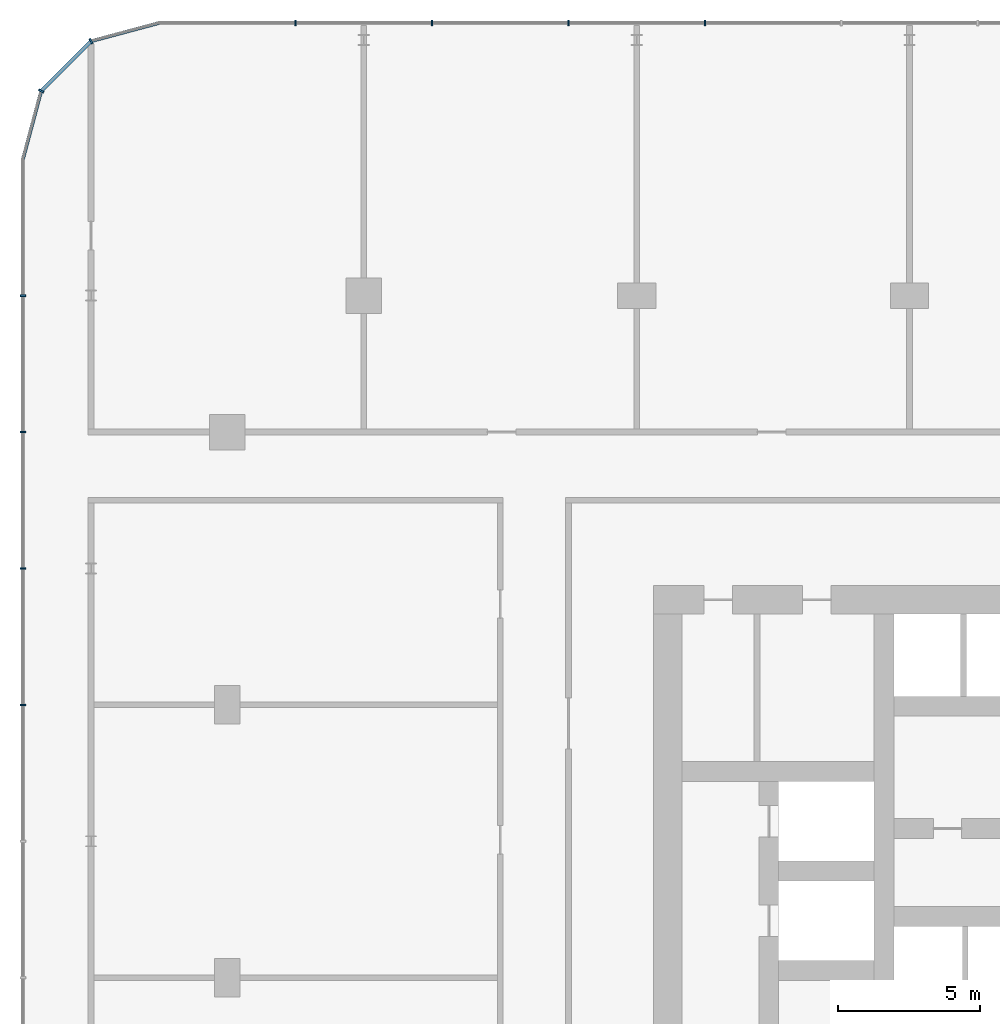
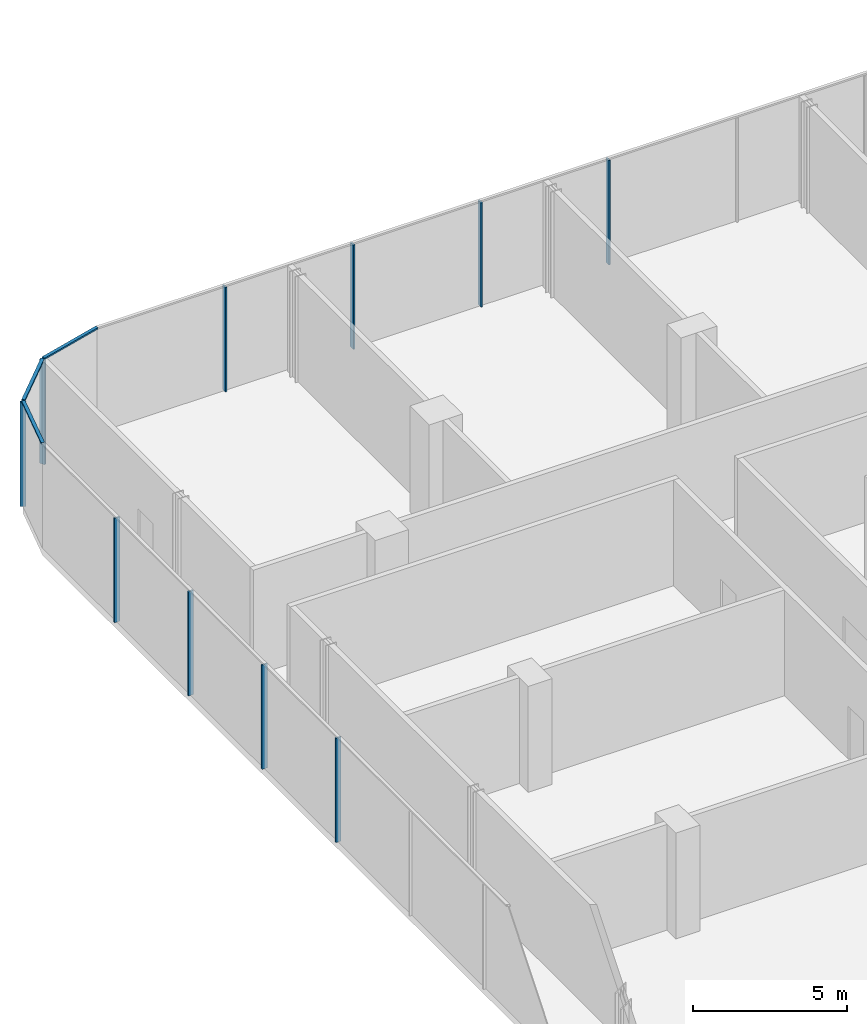
# One storey, part 15 of 43: 13 members, 3 elements without a shape of their own.
"""IFC4 building model written with IfcOpenShell, lengths in metres."""

from ifc_helpers import new_model, si_unit, direction, frame, origin, origin_2d, place, context, subcontext, project, spatial, rectangle, extrude, material, layer, layer_set, material_profile, profile_set, type_object, element, aggregate, save


model = new_model("IFC4")

# Units and contexts
model_context = context("Model", 3, precision=1e-05, world=origin(), true_north=direction((0.0, 1.0)))
body_context = subcontext(model_context, "Body", "Model", "MODEL_VIEW")
ifc_project = project(units=[si_unit("LENGTHUNIT", "METRE"), si_unit("AREAUNIT", "SQUARE_METRE"), si_unit("VOLUMEUNIT", "CUBIC_METRE"), si_unit("PLANEANGLEUNIT", "RADIAN"), si_unit("MASSUNIT", "GRAM", prefix="KILO")], contexts=[model_context])

# Site, building, storey
site_placement = place(None, origin())
site = spatial("IfcSite", under=ifc_project, at=site_placement, CompositionType="ELEMENT")
building_placement = place(site_placement, origin())
building = spatial("IfcBuilding", under=site, at=building_placement, Name="Madar Terraces", CompositionType="ELEMENT")
storey_placement = place(building_placement, frame((0.0, 0.0, 10.5)))
storey = spatial("IfcBuildingStorey", under=building, at=storey_placement, Name="L02", CompositionType="ELEMENT", Elevation=10.5)

# Curtain wall, members
ifc_material_1 = material(Name="Glass, clear low-iron, with black aluminium frame", Category="aluminium")
ifc_layer = layer(ifc_material_1, 0.199951171875)
ifc_layer_set = layer_set([ifc_layer], Name="Facade curtain wall, shopfront glazing")
curtain_wall_type = type_object("IfcCurtainWallType", Name="Facade curtain wall, shopfront glazing", PredefinedType="NOTDEFINED", material=ifc_layer_set)
curtain_wall_1_placement = place(storey_placement, origin())
curtain_wall_1 = element("IfcCurtainWall", 1, at=curtain_wall_1_placement, inside=storey, type_object=curtain_wall_type, Name="Outer skin curtain wall north bay 1", PredefinedType="NOTDEFINED")
ifc_material_2 = material(Name="Aluminium, black anodised", Category="aluminium")
ifc_material_profile_1 = material_profile(ifc_material_2, rectangle(XDim=0.199951171875, YDim=0.06005859375, at=origin_2d()), Name="Facade mullion 60x200")
ifc_profile_set_1 = profile_set([ifc_material_profile_1], Name="Aluminium, black anodised")
member_type_1 = type_object("IfcMemberType", Name="Facade mullion 60x200", PredefinedType="MULLION", material=ifc_profile_set_1)
member_1_placement = place(storey_placement, frame((16.800048828125, 57.60009765625, 0.0), z_axis=(0.0, 0.0, 1.0), x_axis=(0.0, -1.0, 0.0)))
member_1 = element("IfcMember", 2, at=member_1_placement, type_object=member_type_1, Name="Mullion 10", PredefinedType="MULLION", context=body_context, shape_type="SweptSolid", body=[
    extrude(rectangle(XDim=0.199951171875, YDim=0.06005859375, at=origin_2d()), origin(), (0.0, 0.0, 1.0), 4.139892578125),
])
member_2_placement = place(storey_placement, frame((12.0, 57.60009765625, 0.0), z_axis=(0.0, 0.0, 1.0), x_axis=(0.0, -1.0, 0.0)))
member_2 = element("IfcMember", 3, at=member_2_placement, type_object=member_type_1, Name="Mullion 11", PredefinedType="MULLION", context=body_context, shape_type="SweptSolid", body=[
    extrude(rectangle(XDim=0.199951171875, YDim=0.06005859375, at=origin_2d()), origin(), (0.0, 0.0, 1.0), 4.139892578125),
])
member_3_placement = place(storey_placement, frame((7.199951171875, 57.60009765625, 0.0), z_axis=(0.0, 0.0, 1.0), x_axis=(0.0, -1.0, 0.0)))
member_3 = element("IfcMember", 4, at=member_3_placement, type_object=member_type_1, Name="Mullion 12", PredefinedType="MULLION", context=body_context, shape_type="SweptSolid", body=[
    extrude(rectangle(XDim=0.199951171875, YDim=0.06005859375, at=origin_2d()), origin(), (0.0, 0.0, 1.0), 4.139892578125),
])
member_4_placement = place(storey_placement, frame((2.39990234375, 57.60009765625, 0.0), z_axis=(0.0, 0.0, 1.0), x_axis=(0.0, -1.0, 0.0)))
member_4 = element("IfcMember", 5, at=member_4_placement, type_object=member_type_1, Name="Mullion 13", PredefinedType="MULLION", context=body_context, shape_type="SweptSolid", body=[
    extrude(rectangle(XDim=0.199951171875, YDim=0.06005859375, at=origin_2d()), origin(), (0.0, 0.0, 1.0), 4.139892578125),
])
aggregate(curtain_wall_1, [member_1, member_2, member_3, member_4])

curtain_wall_2_placement = place(storey_placement, origin())
curtain_wall_2 = element("IfcCurtainWall", 6, at=curtain_wall_2_placement, inside=storey, type_object=curtain_wall_type, Name="Outer skin curtain wall west bay 1", PredefinedType="NOTDEFINED")
member_5_placement = place(storey_placement, frame((-7.199951171875, 48.0, 0.0), z_axis=(0.0, 0.0, 1.0), x_axis=(1.0, 0.0, 0.0)))
member_5 = element("IfcMember", 7, at=member_5_placement, type_object=member_type_1, Name="Mullion 1", PredefinedType="MULLION", context=body_context, shape_type="SweptSolid", body=[
    extrude(rectangle(XDim=0.199951171875, YDim=0.06005859375, at=origin_2d()), origin(), (0.0, 0.0, 1.0), 4.139892578125),
])
member_6_placement = place(storey_placement, frame((-7.199951171875, 43.199951171875, 0.0), z_axis=(0.0, 0.0, 1.0), x_axis=(1.0, 0.0, 0.0)))
member_6 = element("IfcMember", 8, at=member_6_placement, type_object=member_type_1, Name="Mullion 2", PredefinedType="MULLION", context=body_context, shape_type="SweptSolid", body=[
    extrude(rectangle(XDim=0.199951171875, YDim=0.06005859375, at=origin_2d()), origin(), (0.0, 0.0, 1.0), 4.139892578125),
])
member_7_placement = place(storey_placement, frame((-7.199951171875, 38.39990234375, 0.0), z_axis=(0.0, 0.0, 1.0), x_axis=(1.0, 0.0, 0.0)))
member_7 = element("IfcMember", 9, at=member_7_placement, type_object=member_type_1, Name="Mullion 3", PredefinedType="MULLION", context=body_context, shape_type="SweptSolid", body=[
    extrude(rectangle(XDim=0.199951171875, YDim=0.06005859375, at=origin_2d()), origin(), (0.0, 0.0, 1.0), 4.139892578125),
])
member_8_placement = place(storey_placement, frame((-7.199951171875, 33.60009765625, 0.0), z_axis=(0.0, 0.0, 1.0), x_axis=(1.0, 0.0, 0.0)))
member_8 = element("IfcMember", 10, at=member_8_placement, type_object=member_type_1, Name="Mullion 4", PredefinedType="MULLION", context=body_context, shape_type="SweptSolid", body=[
    extrude(rectangle(XDim=0.199951171875, YDim=0.06005859375, at=origin_2d()), origin(), (0.0, 0.0, 1.0), 4.139892578125),
])
aggregate(curtain_wall_2, [member_5, member_6, member_7, member_8])

curtain_wall_3_placement = place(storey_placement, origin())
curtain_wall_3 = element("IfcCurtainWall", 11, at=curtain_wall_3_placement, inside=storey, type_object=curtain_wall_type, Name="Outer skin curtain wall north-west corner", PredefinedType="NOTDEFINED")
member_9_placement = place(storey_placement, frame((-4.800048828125, 56.95703125, 0.0), z_axis=(0.0, 0.0, 1.0), x_axis=(0.499999989586, -0.866025409797, 0.0)))
member_9 = element("IfcMember", 12, at=member_9_placement, type_object=member_type_1, Name="Mullion 1", PredefinedType="MULLION", context=body_context, shape_type="SweptSolid", body=[
    extrude(rectangle(XDim=0.199951171875, YDim=0.06005859375, at=origin_2d()), origin(), (0.0, 0.0, 1.0), 4.139892578125),
])
member_10_placement = place(storey_placement, frame((-6.556884765625, 55.199951171875, 0.0), z_axis=(0.0, 0.0, 1.0), x_axis=(0.866025409797, -0.499999989586, 0.0)))
member_10 = element("IfcMember", 13, at=member_10_placement, type_object=member_type_1, Name="Mullion 2", PredefinedType="MULLION", context=body_context, shape_type="SweptSolid", body=[
    extrude(rectangle(XDim=0.199951171875, YDim=0.06005859375, at=origin_2d()), origin(), (0.0, 0.0, 1.0), 4.139892578125),
])
ifc_material_3 = material(Name="Aluminium, black anodised", Category="aluminium")
ifc_material_profile_2 = material_profile(ifc_material_3, rectangle(XDim=0.1201171875, YDim=0.06005859375, at=origin_2d()), Name="Facade transom 60x120")
ifc_profile_set_2 = profile_set([ifc_material_profile_2], Name="Aluminium, black anodised")
member_type_2 = type_object("IfcMemberType", Name="Facade transom 60x120", PredefinedType="USERDEFINED", material=ifc_profile_set_2)
member_11_placement = place(storey_placement, frame((-2.39990234375, 57.60009765625, 4.169921875), z_axis=(-0.965908980432, -0.258881906514, 0.0), x_axis=(0.258881906514, -0.965908980432, 0.0)))
member_11 = element("IfcMember", 14, at=member_11_placement, type_object=member_type_2, Name="Transom 1", ObjectType="TRANSOM", PredefinedType="USERDEFINED", context=body_context, shape_type="SweptSolid", body=[
    extrude(rectangle(XDim=0.1201171875, YDim=0.06005859375, at=origin_2d()), origin(), (0.0, 0.0, 1.0), 2.454833984375),
])
member_12_placement = place(storey_placement, frame((-4.8212890625, 56.935791015625, 4.169921875), z_axis=(-0.707056433593, -0.707157125196, 0.0), x_axis=(0.707157125196, -0.707056433593, 0.0)))
member_12 = element("IfcMember", 15, at=member_12_placement, type_object=member_type_2, Name="Transom 2", ObjectType="TRANSOM", PredefinedType="USERDEFINED", context=body_context, shape_type="SweptSolid", body=[
    extrude(rectangle(XDim=0.1201171875, YDim=0.06005859375, at=origin_2d()), origin(), (0.0, 0.0, 1.0), 2.424560546875),
])
member_13_placement = place(storey_placement, frame((-6.564697265625, 55.171142578125, 4.169921875), z_axis=(-0.258789113195, -0.965933846022, 0.0), x_axis=(0.965933846022, -0.258789113195, 0.0)))
member_13 = element("IfcMember", 16, at=member_13_placement, type_object=member_type_2, Name="Transom 3", ObjectType="TRANSOM", PredefinedType="USERDEFINED", context=body_context, shape_type="SweptSolid", body=[
    extrude(rectangle(XDim=0.1201171875, YDim=0.06005859375, at=origin_2d()), origin(), (0.0, 0.0, 1.0), 2.454833984375),
])
aggregate(curtain_wall_3, [member_9, member_11, member_10, member_12, member_13])

save(model, "model.ifc")
